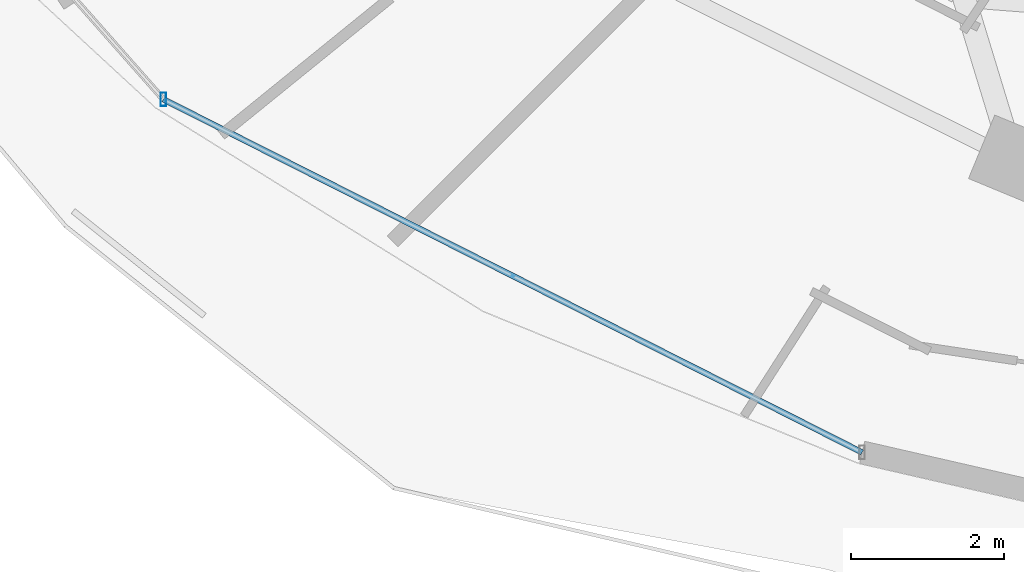
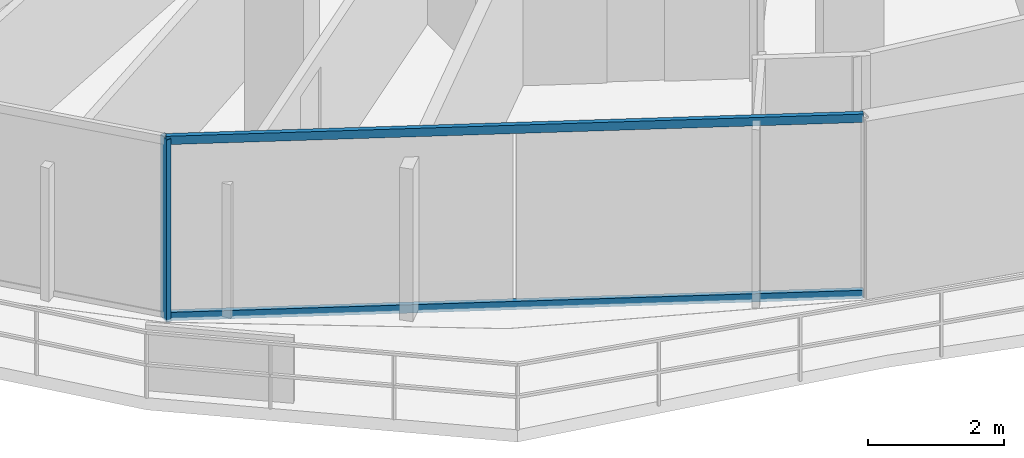
# One storey, part 2 of 33: 3 members, 1 element without a shape of its own.
"""IFC4 building model written with IfcOpenShell, lengths in metres."""

from ifc_helpers import new_model, si_unit, direction, frame, origin, origin_2d, place, context, subcontext, project, spatial, hollow_rectangle, extrude, material, material_profile, profile_set, type_object, element, aggregate, save


model = new_model("IFC4")

# Units and contexts
model_context = context("Model", 3, precision=1e-05, world=origin(), true_north=direction((0.0, 1.0)))
body_context = subcontext(model_context, "Body", "Model", "MODEL_VIEW")
ifc_project = project(units=[si_unit("LENGTHUNIT", "METRE"), si_unit("AREAUNIT", "SQUARE_METRE"), si_unit("VOLUMEUNIT", "CUBIC_METRE"), si_unit("PLANEANGLEUNIT", "RADIAN"), si_unit("MASSUNIT", "GRAM", prefix="KILO")], contexts=[model_context])

# Site, building, storey
site_placement = place(None, origin())
site = spatial("IfcSite", under=ifc_project, at=site_placement, CompositionType="ELEMENT")
building_placement = place(site_placement, origin())
building = spatial("IfcBuilding", under=site, at=building_placement, Name="Vorneva Point Tower", CompositionType="ELEMENT")
storey_placement = place(building_placement, frame((0.0, 0.0, 221.39990234375)))
storey = spatial("IfcBuildingStorey", under=building, at=storey_placement, Name="L60", CompositionType="ELEMENT", Elevation=221.39990234375)

# Curtain wall, members
ifc_material = material(Name="Pale anodised aluminium", Category="aluminium")
curtain_wall_type = type_object("IfcCurtainWallType", Name="CW-RES-SYS", PredefinedType="NOTDEFINED", material=ifc_material)
curtain_wall_placement = place(storey_placement, origin())
curtain_wall = element("IfcCurtainWall", 1, at=curtain_wall_placement, inside=storey, type_object=curtain_wall_type, Name="L60 Unitised Curtain Wall CW-L60-R02", PredefinedType="NOTDEFINED")
ifc_material_profile_1 = material_profile(ifc_material, hollow_rectangle(XDim=0.074951171875, YDim=0.179931640625, WallThickness=0.00390625, at=origin_2d()), Name="AL-MUL 180x75x4")
ifc_profile_set_1 = profile_set([ifc_material_profile_1], Name="Pale anodised aluminium")
member_type_1 = type_object("IfcMemberType", Name="CW-MUL-180", PredefinedType="MULLION", material=ifc_profile_set_1)
member_1_placement = place(storey_placement, frame((18.038330078125, 10.9033203125, -0.039794921875), z_axis=(0.0, 0.0, 1.0), x_axis=(1.0, 0.0, 0.0)))
member_1 = element("IfcMember", 2, at=member_1_placement, type_object=member_type_1, Name="CW-L60-R02 Mullion 05", PredefinedType="MULLION", context=body_context, shape_type="SweptSolid", body=[
    extrude(hollow_rectangle(XDim=0.074951171875, YDim=0.179931640625, WallThickness=0.00390625, at=origin_2d()), origin(), (0.0, 0.0, 1.0), 3.269775390625),
])
ifc_material_profile_2 = material_profile(ifc_material, hollow_rectangle(XDim=0.074951171875, YDim=0.14990234375, WallThickness=0.00390625, at=origin_2d()), Name="AL-TRN 150x75x4")
ifc_profile_set_2 = profile_set([ifc_material_profile_2], Name="Pale anodised aluminium")
member_type_2 = type_object("IfcMemberType", Name="CW-TRN-150", PredefinedType="USERDEFINED", material=ifc_profile_set_2)
member_2_placement = place(storey_placement, frame((18.038330078125, 10.9033203125, 0.02001953125), z_axis=(0.892510927709, -0.451025768576, 0.0), x_axis=(0.451025768576, 0.892510927709, 0.0)))
member_2 = element("IfcMember", 3, at=member_2_placement, type_object=member_type_2, Name="CW-L60-R02 Transom 05.1", ObjectType="TRANSOM", PredefinedType="USERDEFINED", context=body_context, shape_type="SweptSolid", body=[
    extrude(hollow_rectangle(XDim=0.074951171875, YDim=0.14990234375, WallThickness=0.00390625, at=origin_2d()), origin(), (0.0, 0.0, 1.0), 10.261474609375),
])
member_3_placement = place(storey_placement, frame((18.038330078125, 10.9033203125, 3.18017578125), z_axis=(0.892510927709, -0.451025768576, 0.0), x_axis=(0.451025768576, 0.892510927709, 0.0)))
member_3 = element("IfcMember", 4, at=member_3_placement, type_object=member_type_2, Name="CW-L60-R02 Transom 05.2", ObjectType="TRANSOM", PredefinedType="USERDEFINED", context=body_context, shape_type="SweptSolid", body=[
    extrude(hollow_rectangle(XDim=0.074951171875, YDim=0.14990234375, WallThickness=0.00390625, at=origin_2d()), origin(), (0.0, 0.0, 1.0), 10.261474609375),
])
aggregate(curtain_wall, [member_1, member_2, member_3])

save(model, "model.ifc")
